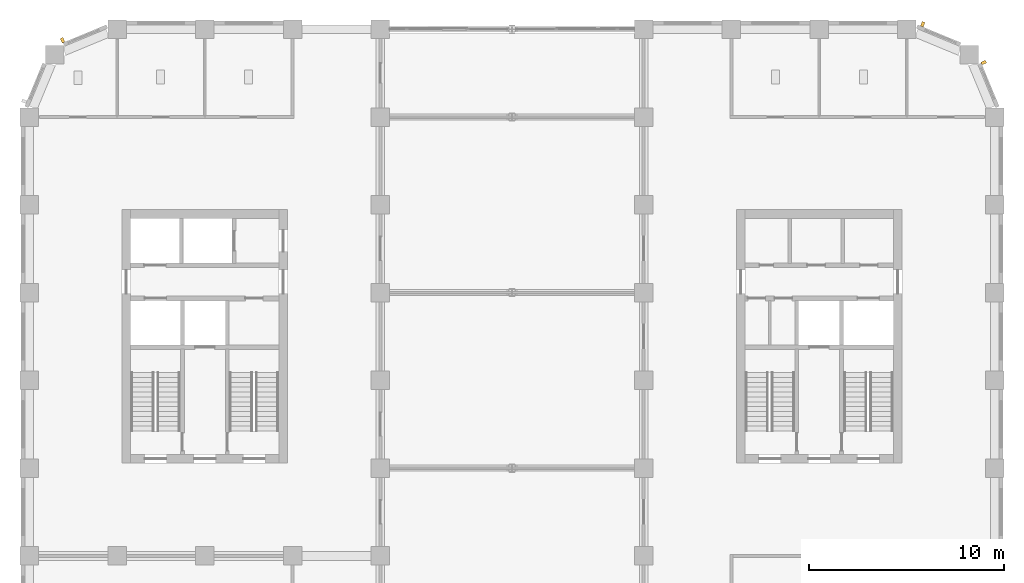
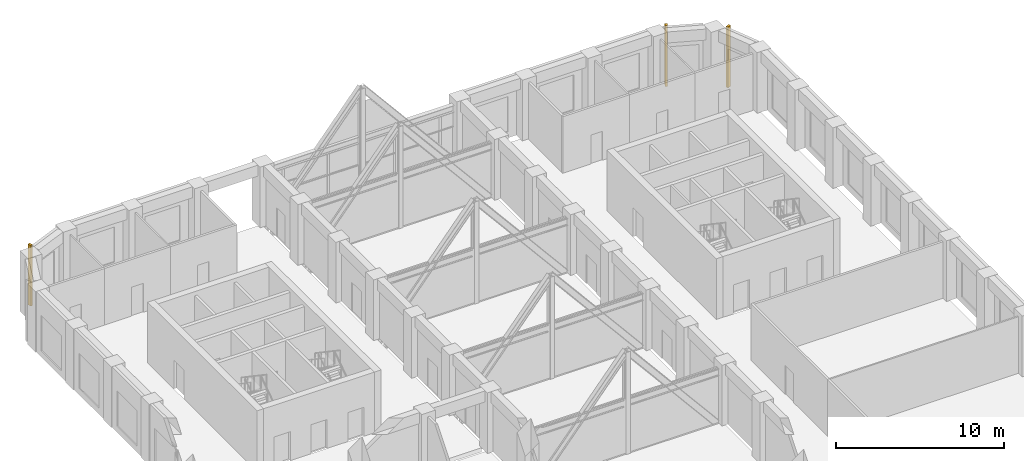
# One storey, part 14 of 15: 3 shading devices.
"""IFC4 building model written with IfcOpenShell, lengths in metres."""

from ifc_helpers import new_model, si_unit, direction, frame, origin, origin_2d, place, context, subcontext, project, spatial, rectangle, extrude, material, type_object, element, save


model = new_model("IFC4")

# Units and contexts
model_context = context("Model", 3, precision=1e-05, world=origin(), true_north=direction((0.0, 1.0)))
body_context = subcontext(model_context, "Body", "Model", "MODEL_VIEW")
ifc_project = project(units=[si_unit("LENGTHUNIT", "METRE"), si_unit("AREAUNIT", "SQUARE_METRE"), si_unit("VOLUMEUNIT", "CUBIC_METRE"), si_unit("PLANEANGLEUNIT", "RADIAN"), si_unit("MASSUNIT", "GRAM", prefix="KILO")], contexts=[model_context])

# Site, building, storey
site_placement = place(None, origin())
site = spatial("IfcSite", under=ifc_project, at=site_placement, CompositionType="ELEMENT")
building_placement = place(site_placement, origin())
building = spatial("IfcBuilding", under=site, at=building_placement, Name="Girih Gate Residences", CompositionType="ELEMENT")
storey_placement = place(building_placement, frame((0.0, 0.0, 168.199951171875)))
storey = spatial("IfcBuildingStorey", under=building, at=storey_placement, Name="L46", CompositionType="ELEMENT", Elevation=168.199951171875)

# Shading devices
ifc_material = material(Name="Precast concrete C50/60", Category="concrete")
shading_device_type = type_object("IfcShadingDeviceType", Name="Corner rib 150x250", PredefinedType="USERDEFINED", material=ifc_material)
for number, where, z_axis, x_axis, name in (
    (1, (48.937744140625, 47.794677734375, 0.0), (0.0, 0.0, 1.0), (-0.382683432365, 0.923879532511, 0.0), "Corner rib NE0495_0450.0"),
    (2, (45.808349609375, 49.760498046875, 0.0), (0.0, 0.0, 1.0), (-0.923879532511, 0.382683432365, 0.0), "Corner rib NE0482_0482.0"),
    (3, (1.705322265625, 48.937744140625, 0.0), (0.0, 0.0, 1.0), (-0.923879532511, -0.382683432365, 0.0), "Corner rib NW0045_0495.0"),
):
    element("IfcShadingDevice", number, at=place(storey_placement, frame(where, z_axis=z_axis, x_axis=x_axis)), inside=storey, type_object=shading_device_type, Name=name, ObjectType="FIN", PredefinedType="USERDEFINED", context=body_context, shape_type="SweptSolid", body=[
        extrude(rectangle(XDim=0.14990234375, YDim=0.25, at=origin_2d()), origin(), (0.0, 0.0, 1.0), 4.39990234375),
    ])

save(model, "model.ifc")
